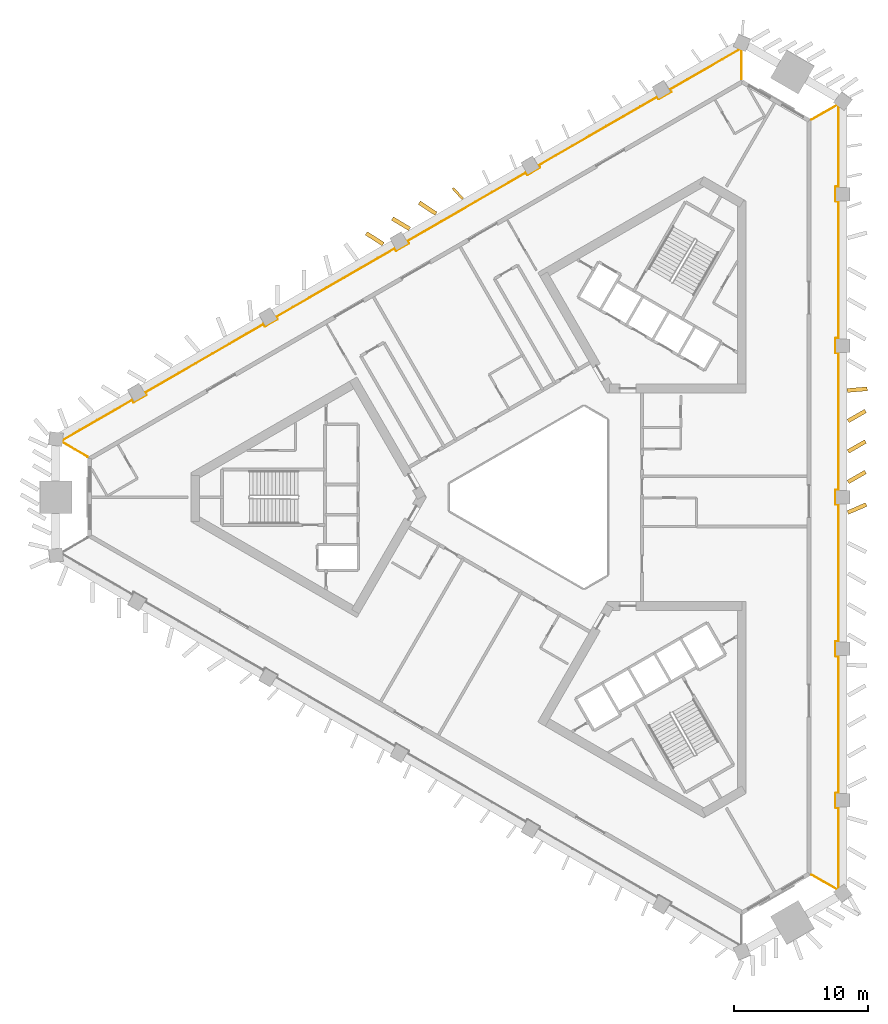
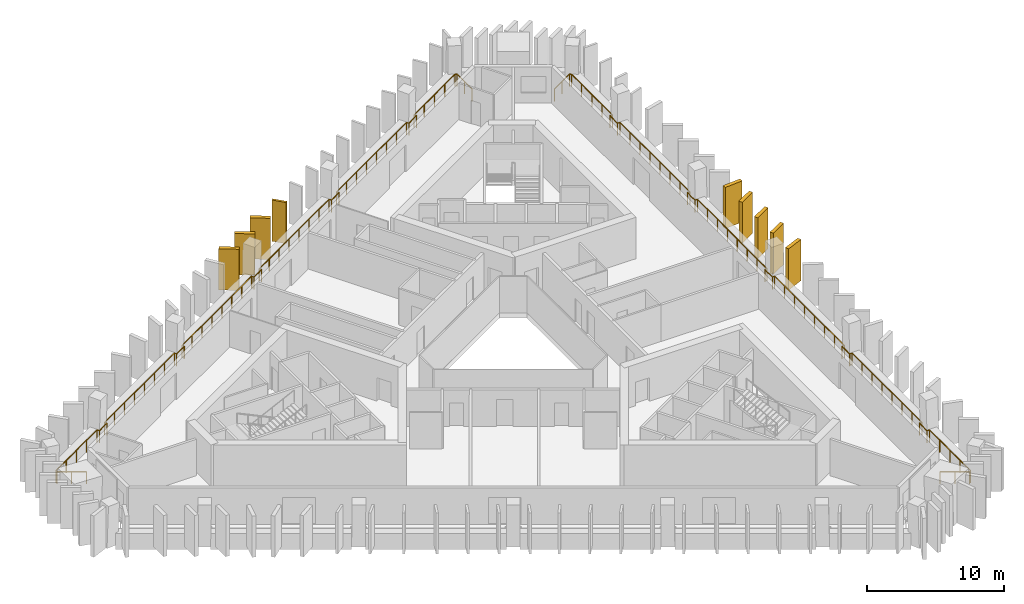
# One storey, part 9 of 10: 9 shading devices, 2 railings.
"""IFC4 building model written with IfcOpenShell, lengths in metres."""

from ifc_helpers import new_model, si_unit, direction, frame, frame_2d, origin, origin_2d, place, context, subcontext, project, spatial, rectangle, circle, extrude, material, layer, layer_set, type_object, element, save


model = new_model("IFC4")

# Units and contexts
model_context = context("Model", 3, precision=1e-05, world=origin(), true_north=direction((0.0, 1.0)))
body_context = subcontext(model_context, "Body", "Model", "MODEL_VIEW")
ifc_project = project(units=[si_unit("LENGTHUNIT", "METRE"), si_unit("AREAUNIT", "SQUARE_METRE"), si_unit("VOLUMEUNIT", "CUBIC_METRE"), si_unit("PLANEANGLEUNIT", "RADIAN"), si_unit("MASSUNIT", "GRAM", prefix="KILO")], contexts=[model_context])

# Site, building, storey
site_placement = place(None, origin())
site = spatial("IfcSite", under=ifc_project, at=site_placement, CompositionType="ELEMENT")
building_placement = place(site_placement, origin())
building = spatial("IfcBuilding", under=site, at=building_placement, Name="Jabali Bay Hotel Tower and Convention Centre", CompositionType="ELEMENT")
storey_placement = place(building_placement, frame((0.0, 0.0, 125.300048828125)))
storey = spatial("IfcBuildingStorey", under=building, at=storey_placement, Name="L30", CompositionType="ELEMENT", Elevation=125.300048828125)

# Railings
ifc_material_1 = material(Name="Glass", Category="glass")
railing_type = type_object("IfcRailingType", Name="Loggia glass guard 1100", PredefinedType="BALUSTRADE", material=ifc_material_1)
railing_1_placement = place(storey_placement, frame((94.77587890625, 108.204345703125, 0.0)))
element("IfcRailing", 1, at=railing_1_placement, inside=storey, type_object=railing_type, Name="Loggia glass guard L30", PredefinedType="BALUSTRADE", context=body_context, shape_type="SweptSolid", body=[
    extrude(circle(Radius=0.02490234375, at=origin_2d()), frame((0.0, 0.0, 1.0751953125), z_axis=(0.866007213464, 0.500031505235, 0.0), x_axis=(-0.495753666391, 0.858598401702, 0.13052619222)), (0.0, 0.0, 1.0), 2.165283203125),
    extrude(circle(Radius=0.02490234375, at=origin_2d()), frame((1.875244140625, 1.082763671875, 1.0751953125), z_axis=(0.800939455023, -0.598745346025, 0.0), x_axis=(0.593622996588, 0.794087306954, 0.13052619222)), (0.0, 0.0, 1.0), 0.15576171875),
    extrude(circle(Radius=0.02490234375, at=origin_2d()), frame((2.0, 0.989501953125, 1.0751953125), z_axis=(0.0, -1.0, 0.0), x_axis=(0.991444861374, 0.0, 0.13052619222)), (0.0, 0.0, 1.0), 5.996337890625),
    extrude(circle(Radius=0.02490234375, at=origin_2d()), frame((2.0, -5.0068359375, 1.0751953125), z_axis=(-1.0, 0.0, 0.0), x_axis=(0.0, -0.991444861374, 0.13052619222)), (0.0, 0.0, 1.0), 0.199951171875),
    extrude(circle(Radius=0.02490234375, at=origin_2d()), frame((1.800048828125, -5.0068359375, 1.0751953125), z_axis=(0.0, -1.0, 0.0), x_axis=(0.991444861374, 0.0, 0.13052619222)), (0.0, 0.0, 1.0), 1.10009765625),
    extrude(circle(Radius=0.02490234375, at=origin_2d()), frame((1.800048828125, -6.10693359375, 1.0751953125), z_axis=(1.0, 0.0, 0.0), x_axis=(0.0, 0.991444861374, 0.13052619222)), (0.0, 0.0, 1.0), 0.199951171875),
    extrude(circle(Radius=0.02490234375, at=origin_2d()), frame((2.0, -6.10693359375, 1.0751953125), z_axis=(0.0, -1.0, 0.0), x_axis=(0.991444861374, 0.0, 0.13052619222)), (0.0, 0.0, 1.0), 10.2236328125),
    extrude(circle(Radius=0.02490234375, at=origin_2d()), frame((2.0, -16.33056640625, 1.0751953125), z_axis=(-1.0, 0.0, 0.0), x_axis=(0.0, -0.991444861374, 0.13052619222)), (0.0, 0.0, 1.0), 0.199951171875),
    extrude(circle(Radius=0.02490234375, at=origin_2d()), frame((1.800048828125, -16.33056640625, 1.0751953125), z_axis=(0.0, -1.0, 0.0), x_axis=(0.991444861374, 0.0, 0.13052619222)), (0.0, 0.0, 1.0), 1.10009765625),
    extrude(circle(Radius=0.02490234375, at=origin_2d()), frame((1.800048828125, -17.4306640625, 1.0751953125), z_axis=(1.0, 0.0, 0.0), x_axis=(0.0, 0.991444861374, 0.13052619222)), (0.0, 0.0, 1.0), 0.199951171875),
    extrude(circle(Radius=0.02490234375, at=origin_2d()), frame((2.0, -17.4306640625, 1.0751953125), z_axis=(0.0, -1.0, 0.0), x_axis=(0.991444861374, 0.0, 0.13052619222)), (0.0, 0.0, 1.0), 10.2236328125),
    extrude(circle(Radius=0.02490234375, at=origin_2d()), frame((2.0, -27.654296875, 1.0751953125), z_axis=(-1.0, 0.0, 0.0), x_axis=(0.0, -0.991444861374, 0.13052619222)), (0.0, 0.0, 1.0), 0.199951171875),
    extrude(circle(Radius=0.02490234375, at=origin_2d()), frame((1.800048828125, -27.654296875, 1.0751953125), z_axis=(0.0, -1.0, 0.0), x_axis=(0.991444861374, 0.0, 0.13052619222)), (0.0, 0.0, 1.0), 1.10009765625),
    extrude(circle(Radius=0.02490234375, at=origin_2d()), frame((1.800048828125, -28.75439453125, 1.0751953125), z_axis=(1.0, 0.0, 0.0), x_axis=(0.0, 0.991444861374, 0.13052619222)), (0.0, 0.0, 1.0), 0.199951171875),
    extrude(circle(Radius=0.02490234375, at=origin_2d()), frame((2.0, -28.75439453125, 1.0751953125), z_axis=(0.0, -1.0, 0.0), x_axis=(0.991444861374, 0.0, 0.13052619222)), (0.0, 0.0, 1.0), 10.2236328125),
    extrude(circle(Radius=0.02490234375, at=origin_2d()), frame((2.0, -38.97802734375, 1.0751953125), z_axis=(-1.0, 0.0, 0.0), x_axis=(0.0, -0.991444861374, 0.13052619222)), (0.0, 0.0, 1.0), 0.199951171875),
    extrude(circle(Radius=0.02490234375, at=origin_2d()), frame((1.800048828125, -38.97802734375, 1.0751953125), z_axis=(0.0, -1.0, 0.0), x_axis=(0.991444861374, 0.0, 0.13052619222)), (0.0, 0.0, 1.0), 1.10009765625),
    extrude(circle(Radius=0.02490234375, at=origin_2d()), frame((1.800048828125, -40.078125, 1.0751953125), z_axis=(1.0, 0.0, 0.0), x_axis=(0.0, 0.991444861374, 0.13052619222)), (0.0, 0.0, 1.0), 0.199951171875),
    extrude(circle(Radius=0.02490234375, at=origin_2d()), frame((2.0, -40.078125, 1.0751953125), z_axis=(0.0, -1.0, 0.0), x_axis=(0.991444861374, 0.0, 0.13052619222)), (0.0, 0.0, 1.0), 10.2236328125),
    extrude(circle(Radius=0.02490234375, at=origin_2d()), frame((2.0, -50.3017578125, 1.0751953125), z_axis=(-1.0, 0.0, 0.0), x_axis=(0.0, -0.991444861374, 0.13052619222)), (0.0, 0.0, 1.0), 0.199951171875),
    extrude(circle(Radius=0.02490234375, at=origin_2d()), frame((1.800048828125, -50.3017578125, 1.0751953125), z_axis=(0.0, -1.0, 0.0), x_axis=(0.991444861374, 0.0, 0.13052619222)), (0.0, 0.0, 1.0), 1.10009765625),
    extrude(circle(Radius=0.02490234375, at=origin_2d()), frame((1.800048828125, -51.40185546875, 1.0751953125), z_axis=(1.0, 0.0, 0.0), x_axis=(0.0, 0.991444861374, 0.13052619222)), (0.0, 0.0, 1.0), 0.199951171875),
    extrude(circle(Radius=0.02490234375, at=origin_2d()), frame((2.0, -51.40185546875, 1.0751953125), z_axis=(0.0, -1.0, 0.0), x_axis=(0.991444861374, 0.0, 0.13052619222)), (0.0, 0.0, 1.0), 5.996337890625),
    extrude(circle(Radius=0.02490234375, at=origin_2d()), frame((2.0, -57.398193359375, 1.0751953125), z_axis=(-0.800939455023, -0.598745346025, 0.0), x_axis=(0.593622996588, -0.794087306954, 0.13052619222)), (0.0, 0.0, 1.0), 0.15576171875),
    extrude(circle(Radius=0.02490234375, at=origin_2d()), frame((1.875244140625, -57.491455078125, 1.0751953125), z_axis=(-0.866007213464, 0.500031505235, 0.0), x_axis=(-0.495753666391, -0.858598401702, 0.13052619222)), (0.0, 0.0, 1.0), 2.165283203125),
    extrude(circle(Radius=0.02001953125, at=origin_2d()), origin(), (0.0, 0.0, 1.0), 1.050048828125),
    extrude(circle(Radius=0.02001953125, at=origin_2d()), frame((0.9375, 0.54150390625, 0.0)), (0.0, 0.0, 1.0), 1.050048828125),
    extrude(circle(Radius=0.02001953125, at=origin_2d()), frame((1.875244140625, 1.082763671875, 0.0)), (0.0, 0.0, 1.0), 1.050048828125),
    extrude(circle(Radius=0.02001953125, at=origin_2d()), frame((2.0, 0.989501953125, 0.0)), (0.0, 0.0, 1.0), 1.050048828125),
    extrude(circle(Radius=0.02001953125, at=origin_2d()), frame((2.0, -0.509521484375, 0.0)), (0.0, 0.0, 1.0), 1.050048828125),
    extrude(circle(Radius=0.02001953125, at=origin_2d()), frame((2.0, -2.0087890625, 0.0)), (0.0, 0.0, 1.0), 1.050048828125),
    extrude(circle(Radius=0.02001953125, at=origin_2d()), frame((2.0, -3.5078125, 0.0)), (0.0, 0.0, 1.0), 1.050048828125),
    extrude(circle(Radius=0.02001953125, at=origin_2d()), frame((2.0, -5.0068359375, 0.0)), (0.0, 0.0, 1.0), 1.050048828125),
    extrude(circle(Radius=0.02001953125, at=origin_2d()), frame((1.800048828125, -5.0068359375, 0.0)), (0.0, 0.0, 1.0), 1.050048828125),
    extrude(circle(Radius=0.02001953125, at=origin_2d()), frame((1.800048828125, -6.10693359375, 0.0)), (0.0, 0.0, 1.0), 1.050048828125),
    extrude(circle(Radius=0.02001953125, at=origin_2d()), frame((2.0, -6.10693359375, 0.0)), (0.0, 0.0, 1.0), 1.050048828125),
    extrude(circle(Radius=0.02001953125, at=origin_2d()), frame((2.0, -7.5673828125, 0.0)), (0.0, 0.0, 1.0), 1.050048828125),
    extrude(circle(Radius=0.02001953125, at=origin_2d()), frame((2.0, -9.028076171875, 0.0)), (0.0, 0.0, 1.0), 1.050048828125),
    extrude(circle(Radius=0.02001953125, at=origin_2d()), frame((2.0, -10.488525390625, 0.0)), (0.0, 0.0, 1.0), 1.050048828125),
    extrude(circle(Radius=0.02001953125, at=origin_2d()), frame((2.0, -11.948974609375, 0.0)), (0.0, 0.0, 1.0), 1.050048828125),
    extrude(circle(Radius=0.02001953125, at=origin_2d()), frame((2.0, -13.409423828125, 0.0)), (0.0, 0.0, 1.0), 1.050048828125),
    extrude(circle(Radius=0.02001953125, at=origin_2d()), frame((2.0, -14.8701171875, 0.0)), (0.0, 0.0, 1.0), 1.050048828125),
    extrude(circle(Radius=0.02001953125, at=origin_2d()), frame((2.0, -16.33056640625, 0.0)), (0.0, 0.0, 1.0), 1.050048828125),
    extrude(circle(Radius=0.02001953125, at=origin_2d()), frame((1.800048828125, -16.33056640625, 0.0)), (0.0, 0.0, 1.0), 1.050048828125),
    extrude(circle(Radius=0.02001953125, at=origin_2d()), frame((1.800048828125, -17.4306640625, 0.0)), (0.0, 0.0, 1.0), 1.050048828125),
    extrude(circle(Radius=0.02001953125, at=origin_2d()), frame((2.0, -17.4306640625, 0.0)), (0.0, 0.0, 1.0), 1.050048828125),
    extrude(circle(Radius=0.02001953125, at=origin_2d()), frame((2.0, -18.89111328125, 0.0)), (0.0, 0.0, 1.0), 1.050048828125),
    extrude(circle(Radius=0.02001953125, at=origin_2d()), frame((2.0, -20.351806640625, 0.0)), (0.0, 0.0, 1.0), 1.050048828125),
    extrude(circle(Radius=0.02001953125, at=origin_2d()), frame((2.0, -21.812255859375, 0.0)), (0.0, 0.0, 1.0), 1.050048828125),
    extrude(circle(Radius=0.02001953125, at=origin_2d()), frame((2.0, -23.272705078125, 0.0)), (0.0, 0.0, 1.0), 1.050048828125),
    extrude(circle(Radius=0.02001953125, at=origin_2d()), frame((2.0, -24.733154296875, 0.0)), (0.0, 0.0, 1.0), 1.050048828125),
    extrude(circle(Radius=0.02001953125, at=origin_2d()), frame((2.0, -26.19384765625, 0.0)), (0.0, 0.0, 1.0), 1.050048828125),
    extrude(circle(Radius=0.02001953125, at=origin_2d()), frame((2.0, -27.654296875, 0.0)), (0.0, 0.0, 1.0), 1.050048828125),
    extrude(circle(Radius=0.02001953125, at=origin_2d()), frame((1.800048828125, -27.654296875, 0.0)), (0.0, 0.0, 1.0), 1.050048828125),
    extrude(circle(Radius=0.02001953125, at=origin_2d()), frame((1.800048828125, -28.75439453125, 0.0)), (0.0, 0.0, 1.0), 1.050048828125),
    extrude(circle(Radius=0.02001953125, at=origin_2d()), frame((2.0, -28.75439453125, 0.0)), (0.0, 0.0, 1.0), 1.050048828125),
    extrude(circle(Radius=0.02001953125, at=origin_2d()), frame((2.0, -30.21484375, 0.0)), (0.0, 0.0, 1.0), 1.050048828125),
    extrude(circle(Radius=0.02001953125, at=origin_2d()), frame((2.0, -31.675537109375, 0.0)), (0.0, 0.0, 1.0), 1.050048828125),
    extrude(circle(Radius=0.02001953125, at=origin_2d()), frame((2.0, -33.135986328125, 0.0)), (0.0, 0.0, 1.0), 1.050048828125),
    extrude(circle(Radius=0.02001953125, at=origin_2d()), frame((2.0, -34.596435546875, 0.0)), (0.0, 0.0, 1.0), 1.050048828125),
    extrude(circle(Radius=0.02001953125, at=origin_2d()), frame((2.0, -36.056884765625, 0.0)), (0.0, 0.0, 1.0), 1.050048828125),
    extrude(circle(Radius=0.02001953125, at=origin_2d()), frame((2.0, -37.517578125, 0.0)), (0.0, 0.0, 1.0), 1.050048828125),
    extrude(circle(Radius=0.02001953125, at=origin_2d()), frame((2.0, -38.97802734375, 0.0)), (0.0, 0.0, 1.0), 1.050048828125),
    extrude(circle(Radius=0.02001953125, at=origin_2d()), frame((1.800048828125, -38.97802734375, 0.0)), (0.0, 0.0, 1.0), 1.050048828125),
    extrude(circle(Radius=0.02001953125, at=origin_2d()), frame((1.800048828125, -40.078125, 0.0)), (0.0, 0.0, 1.0), 1.050048828125),
    extrude(circle(Radius=0.02001953125, at=origin_2d()), frame((2.0, -40.078125, 0.0)), (0.0, 0.0, 1.0), 1.050048828125),
    extrude(circle(Radius=0.02001953125, at=origin_2d()), frame((2.0, -41.53857421875, 0.0)), (0.0, 0.0, 1.0), 1.050048828125),
    extrude(circle(Radius=0.02001953125, at=origin_2d()), frame((2.0, -42.999267578125, 0.0)), (0.0, 0.0, 1.0), 1.050048828125),
    extrude(circle(Radius=0.02001953125, at=origin_2d()), frame((2.0, -44.459716796875, 0.0)), (0.0, 0.0, 1.0), 1.050048828125),
    extrude(circle(Radius=0.02001953125, at=origin_2d()), frame((2.0, -45.920166015625, 0.0)), (0.0, 0.0, 1.0), 1.050048828125),
    extrude(circle(Radius=0.02001953125, at=origin_2d()), frame((2.0, -47.380615234375, 0.0)), (0.0, 0.0, 1.0), 1.050048828125),
    extrude(circle(Radius=0.02001953125, at=origin_2d()), frame((2.0, -48.84130859375, 0.0)), (0.0, 0.0, 1.0), 1.050048828125),
    extrude(circle(Radius=0.02001953125, at=origin_2d()), frame((2.0, -50.3017578125, 0.0)), (0.0, 0.0, 1.0), 1.050048828125),
    extrude(circle(Radius=0.02001953125, at=origin_2d()), frame((1.800048828125, -50.3017578125, 0.0)), (0.0, 0.0, 1.0), 1.050048828125),
    extrude(circle(Radius=0.02001953125, at=origin_2d()), frame((1.800048828125, -51.40185546875, 0.0)), (0.0, 0.0, 1.0), 1.050048828125),
    extrude(circle(Radius=0.02001953125, at=origin_2d()), frame((2.0, -51.40185546875, 0.0)), (0.0, 0.0, 1.0), 1.050048828125),
    extrude(circle(Radius=0.02001953125, at=origin_2d()), frame((2.0, -52.90087890625, 0.0)), (0.0, 0.0, 1.0), 1.050048828125),
    extrude(circle(Radius=0.02001953125, at=origin_2d()), frame((2.0, -54.39990234375, 0.0)), (0.0, 0.0, 1.0), 1.050048828125),
    extrude(circle(Radius=0.02001953125, at=origin_2d()), frame((2.0, -55.899169921875, 0.0)), (0.0, 0.0, 1.0), 1.050048828125),
    extrude(circle(Radius=0.02001953125, at=origin_2d()), frame((2.0, -57.398193359375, 0.0)), (0.0, 0.0, 1.0), 1.050048828125),
    extrude(circle(Radius=0.02001953125, at=origin_2d()), frame((1.875244140625, -57.491455078125, 0.0)), (0.0, 0.0, 1.0), 1.050048828125),
    extrude(circle(Radius=0.02001953125, at=origin_2d()), frame((0.9375, -56.9501953125, 0.0)), (0.0, 0.0, 1.0), 1.050048828125),
    extrude(circle(Radius=0.02001953125, at=origin_2d()), frame((0.0, -56.40869140625, 0.0)), (0.0, 0.0, 1.0), 1.050048828125),
])
railing_2_placement = place(storey_placement, frame((40.686279296875, 83.0244140625, 0.0)))
element("IfcRailing", 2, at=railing_2_placement, inside=storey, type_object=railing_type, Name="Loggia glass guard L30", PredefinedType="BALUSTRADE", context=body_context, shape_type="SweptSolid", body=[
    extrude(circle(Radius=0.02490234375, at=origin_2d()), frame((0.0, 0.0, 1.0751953125), z_axis=(-0.866056034881, 0.49994694163, 0.0), x_axis=(-0.495669826239, -0.858646805445, 0.13052619222)), (0.0, 0.0, 1.0), 2.165283203125),
    extrude(circle(Radius=0.02490234375, at=origin_2d()), frame((-1.875244140625, 1.08251953125, 1.0751953125), z_axis=(0.117477392411, 0.993075557182, 0.0), x_axis=(-0.984579658124, 0.116472357034, 0.13052619222)), (0.0, 0.0, 1.0), 0.15576171875),
    extrude(circle(Radius=0.02490234375, at=origin_2d()), frame((-1.85693359375, 1.2373046875, 1.0751953125), z_axis=(0.866039817231, 0.499975034347, 0.0), x_axis=(-0.495697678619, 0.858630726539, 0.13052619222)), (0.0, 0.0, 1.0), 5.996337890625),
    extrude(circle(Radius=0.02490234375, at=origin_2d()), frame((3.336181640625, 4.2353515625, 1.0751953125), z_axis=(0.500603037456, -0.865676959893, 0.0), x_axis=(0.858270973496, 0.496320309074, 0.13052619222)), (0.0, 0.0, 1.0), 0.199951171875),
    extrude(circle(Radius=0.02490234375, at=origin_2d()), frame((3.436279296875, 4.062255859375, 1.0751953125), z_axis=(0.865952669392, 0.500125958508, 0.0), x_axis=(-0.495847311602, 0.858544324261, 0.13052619222)), (0.0, 0.0, 1.0), 1.099853515625),
    extrude(circle(Radius=0.02490234375, at=origin_2d()), frame((4.388671875, 4.6123046875, 1.0751953125), z_axis=(-0.499687197852, 0.866205924883, 0.0), x_axis=(-0.858795413117, -0.495412304605, 0.13052619222)), (0.0, 0.0, 1.0), 0.199951171875),
    extrude(circle(Radius=0.02490234375, at=origin_2d()), frame((4.288818359375, 4.785400390625, 1.0751953125), z_axis=(0.866027315309, 0.499996689128, 0.0), x_axis=(-0.49571914814, 0.858618331572, 0.13052619222)), (0.0, 0.0, 1.0), 10.2236328125),
    extrude(circle(Radius=0.02490234375, at=origin_2d()), frame((13.142822265625, 9.897216796875, 1.0751953125), z_axis=(0.499687197852, -0.866205924883, 0.0), x_axis=(0.858795413117, 0.495412304605, 0.13052619222)), (0.0, 0.0, 1.0), 0.199951171875),
    extrude(circle(Radius=0.02490234375, at=origin_2d()), frame((13.24267578125, 9.72412109375, 1.0751953125), z_axis=(0.866008176907, 0.50002983664, 0.0), x_axis=(-0.495752012071, 0.858599356902, 0.13052619222)), (0.0, 0.0, 1.0), 1.10009765625),
    extrude(circle(Radius=0.02490234375, at=origin_2d()), frame((14.1953125, 10.274169921875, 1.0751953125), z_axis=(-0.499687197852, 0.866205924883, 0.0), x_axis=(-0.858795413117, -0.495412304605, 0.13052619222)), (0.0, 0.0, 1.0), 0.199951171875),
    extrude(circle(Radius=0.02490234375, at=origin_2d()), frame((14.095458984375, 10.447265625, 1.0751953125), z_axis=(0.866027315309, 0.499996689128, 0.0), x_axis=(-0.49571914814, 0.858618331572, 0.13052619222)), (0.0, 0.0, 1.0), 10.2236328125),
    extrude(circle(Radius=0.02490234375, at=origin_2d()), frame((22.949462890625, 15.55908203125, 1.0751953125), z_axis=(0.499687197852, -0.866205924883, 0.0), x_axis=(0.858795413117, 0.495412304605, 0.13052619222)), (0.0, 0.0, 1.0), 0.199951171875),
    extrude(circle(Radius=0.02490234375, at=origin_2d()), frame((23.04931640625, 15.385986328125, 1.0751953125), z_axis=(0.866008176907, 0.50002983664, 0.0), x_axis=(-0.495752012071, 0.858599356902, 0.13052619222)), (0.0, 0.0, 1.0), 1.10009765625),
    extrude(circle(Radius=0.02490234375, at=origin_2d()), frame((24.001953125, 15.93603515625, 1.0751953125), z_axis=(-0.499687197852, 0.866205924883, 0.0), x_axis=(-0.858795413117, -0.495412304605, 0.13052619222)), (0.0, 0.0, 1.0), 0.199951171875),
    extrude(circle(Radius=0.02490234375, at=origin_2d()), frame((23.902099609375, 16.109130859375, 1.0751953125), z_axis=(0.866027315309, 0.499996689128, 0.0), x_axis=(-0.49571914814, 0.858618331572, 0.13052619222)), (0.0, 0.0, 1.0), 10.2236328125),
    extrude(circle(Radius=0.02490234375, at=origin_2d()), frame((32.756103515625, 21.220947265625, 1.0751953125), z_axis=(0.499687197852, -0.866205924883, 0.0), x_axis=(0.858795413117, 0.495412304605, 0.13052619222)), (0.0, 0.0, 1.0), 0.199951171875),
    extrude(circle(Radius=0.02490234375, at=origin_2d()), frame((32.85595703125, 21.0478515625, 1.0751953125), z_axis=(0.866008176907, 0.50002983664, 0.0), x_axis=(-0.495752012071, 0.858599356902, 0.13052619222)), (0.0, 0.0, 1.0), 1.10009765625),
    extrude(circle(Radius=0.02490234375, at=origin_2d()), frame((33.80859375, 21.597900390625, 1.0751953125), z_axis=(-0.499687197852, 0.866205924883, 0.0), x_axis=(-0.858795413117, -0.495412304605, 0.13052619222)), (0.0, 0.0, 1.0), 0.199951171875),
    extrude(circle(Radius=0.02490234375, at=origin_2d()), frame((33.708740234375, 21.77099609375, 1.0751953125), z_axis=(0.866027315309, 0.499996689128, 0.0), x_axis=(-0.49571914814, 0.858618331572, 0.13052619222)), (0.0, 0.0, 1.0), 10.2236328125),
    extrude(circle(Radius=0.02490234375, at=origin_2d()), frame((42.562744140625, 26.8828125, 1.0751953125), z_axis=(0.499687197852, -0.866205924883, 0.0), x_axis=(0.858795413117, 0.495412304605, 0.13052619222)), (0.0, 0.0, 1.0), 0.199951171875),
    extrude(circle(Radius=0.02490234375, at=origin_2d()), frame((42.66259765625, 26.709716796875, 1.0751953125), z_axis=(0.866008176907, 0.50002983664, 0.0), x_axis=(-0.495752012071, 0.858599356902, 0.13052619222)), (0.0, 0.0, 1.0), 1.10009765625),
    extrude(circle(Radius=0.02490234375, at=origin_2d()), frame((43.615234375, 27.259765625, 1.0751953125), z_axis=(-0.499687197852, 0.866205924883, 0.0), x_axis=(-0.858795413117, -0.495412304605, 0.13052619222)), (0.0, 0.0, 1.0), 0.199951171875),
    extrude(circle(Radius=0.02490234375, at=origin_2d()), frame((43.515380859375, 27.432861328125, 1.0751953125), z_axis=(0.866012008506, 0.500023200586, 0.0), x_axis=(-0.495745432788, 0.858603155721, 0.13052619222)), (0.0, 0.0, 1.0), 5.996337890625),
    extrude(circle(Radius=0.02490234375, at=origin_2d()), frame((48.708251953125, 30.43115234375, 1.0751953125), z_axis=(0.918901945155, -0.394486013934, 0.0), x_axis=(0.391111131399, 0.911040611631, 0.13052619222)), (0.0, 0.0, 1.0), 0.156005859375),
    extrude(circle(Radius=0.02490234375, at=origin_2d()), frame((48.8515625, 30.36962890625, 1.0751953125), z_axis=(0.0, -1.0, 0.0), x_axis=(0.991444861374, 0.0, 0.13052619222)), (0.0, 0.0, 1.0), 2.165283203125),
    extrude(circle(Radius=0.02001953125, at=origin_2d()), origin(), (0.0, 0.0, 1.0), 1.050048828125),
    extrude(circle(Radius=0.02001953125, at=origin_2d()), frame((-0.9375, 0.541259765625, 0.0)), (0.0, 0.0, 1.0), 1.050048828125),
    extrude(circle(Radius=0.02001953125, at=origin_2d()), frame((-1.875244140625, 1.08251953125, 0.0)), (0.0, 0.0, 1.0), 1.050048828125),
    extrude(circle(Radius=0.02001953125, at=origin_2d()), frame((-1.85693359375, 1.2373046875, 0.0)), (0.0, 0.0, 1.0), 1.050048828125),
    extrude(circle(Radius=0.02001953125, at=origin_2d()), frame((-0.55859375, 1.98681640625, 0.0)), (0.0, 0.0, 1.0), 1.050048828125),
    extrude(circle(Radius=0.02001953125, at=origin_2d()), frame((0.73974609375, 2.736328125, 0.0)), (0.0, 0.0, 1.0), 1.050048828125),
    extrude(circle(Radius=0.02001953125, at=origin_2d()), frame((2.037841796875, 3.48583984375, 0.0)), (0.0, 0.0, 1.0), 1.050048828125),
    extrude(circle(Radius=0.02001953125, at=origin_2d()), frame((3.336181640625, 4.2353515625, 0.0)), (0.0, 0.0, 1.0), 1.050048828125),
    extrude(circle(Radius=0.02001953125, at=origin_2d()), frame((3.436279296875, 4.062255859375, 0.0)), (0.0, 0.0, 1.0), 1.050048828125),
    extrude(circle(Radius=0.02001953125, at=origin_2d()), frame((4.388671875, 4.6123046875, 0.0)), (0.0, 0.0, 1.0), 1.050048828125),
    extrude(circle(Radius=0.02001953125, at=origin_2d()), frame((4.288818359375, 4.785400390625, 0.0)), (0.0, 0.0, 1.0), 1.050048828125),
    extrude(circle(Radius=0.02001953125, at=origin_2d()), frame((5.5537109375, 5.515625, 0.0)), (0.0, 0.0, 1.0), 1.050048828125),
    extrude(circle(Radius=0.02001953125, at=origin_2d()), frame((6.818603515625, 6.245849609375, 0.0)), (0.0, 0.0, 1.0), 1.050048828125),
    extrude(circle(Radius=0.02001953125, at=origin_2d()), frame((8.08349609375, 6.97607421875, 0.0)), (0.0, 0.0, 1.0), 1.050048828125),
    extrude(circle(Radius=0.02001953125, at=origin_2d()), frame((9.34814453125, 7.70654296875, 0.0)), (0.0, 0.0, 1.0), 1.050048828125),
    extrude(circle(Radius=0.02001953125, at=origin_2d()), frame((10.613037109375, 8.436767578125, 0.0)), (0.0, 0.0, 1.0), 1.050048828125),
    extrude(circle(Radius=0.02001953125, at=origin_2d()), frame((11.8779296875, 9.1669921875, 0.0)), (0.0, 0.0, 1.0), 1.050048828125),
    extrude(circle(Radius=0.02001953125, at=origin_2d()), frame((13.142822265625, 9.897216796875, 0.0)), (0.0, 0.0, 1.0), 1.050048828125),
    extrude(circle(Radius=0.02001953125, at=origin_2d()), frame((13.24267578125, 9.72412109375, 0.0)), (0.0, 0.0, 1.0), 1.050048828125),
    extrude(circle(Radius=0.02001953125, at=origin_2d()), frame((14.1953125, 10.274169921875, 0.0)), (0.0, 0.0, 1.0), 1.050048828125),
    extrude(circle(Radius=0.02001953125, at=origin_2d()), frame((14.095458984375, 10.447265625, 0.0)), (0.0, 0.0, 1.0), 1.050048828125),
    extrude(circle(Radius=0.02001953125, at=origin_2d()), frame((15.3603515625, 11.177490234375, 0.0)), (0.0, 0.0, 1.0), 1.050048828125),
    extrude(circle(Radius=0.02001953125, at=origin_2d()), frame((16.625244140625, 11.90771484375, 0.0)), (0.0, 0.0, 1.0), 1.050048828125),
    extrude(circle(Radius=0.02001953125, at=origin_2d()), frame((17.89013671875, 12.637939453125, 0.0)), (0.0, 0.0, 1.0), 1.050048828125),
    extrude(circle(Radius=0.02001953125, at=origin_2d()), frame((19.15478515625, 13.368408203125, 0.0)), (0.0, 0.0, 1.0), 1.050048828125),
    extrude(circle(Radius=0.02001953125, at=origin_2d()), frame((20.419677734375, 14.0986328125, 0.0)), (0.0, 0.0, 1.0), 1.050048828125),
    extrude(circle(Radius=0.02001953125, at=origin_2d()), frame((21.6845703125, 14.828857421875, 0.0)), (0.0, 0.0, 1.0), 1.050048828125),
    extrude(circle(Radius=0.02001953125, at=origin_2d()), frame((22.949462890625, 15.55908203125, 0.0)), (0.0, 0.0, 1.0), 1.050048828125),
    extrude(circle(Radius=0.02001953125, at=origin_2d()), frame((23.04931640625, 15.385986328125, 0.0)), (0.0, 0.0, 1.0), 1.050048828125),
    extrude(circle(Radius=0.02001953125, at=origin_2d()), frame((24.001953125, 15.93603515625, 0.0)), (0.0, 0.0, 1.0), 1.050048828125),
    extrude(circle(Radius=0.02001953125, at=origin_2d()), frame((23.902099609375, 16.109130859375, 0.0)), (0.0, 0.0, 1.0), 1.050048828125),
    extrude(circle(Radius=0.02001953125, at=origin_2d()), frame((25.1669921875, 16.83935546875, 0.0)), (0.0, 0.0, 1.0), 1.050048828125),
    extrude(circle(Radius=0.02001953125, at=origin_2d()), frame((26.431884765625, 17.569580078125, 0.0)), (0.0, 0.0, 1.0), 1.050048828125),
    extrude(circle(Radius=0.02001953125, at=origin_2d()), frame((27.69677734375, 18.2998046875, 0.0)), (0.0, 0.0, 1.0), 1.050048828125),
    extrude(circle(Radius=0.02001953125, at=origin_2d()), frame((28.96142578125, 19.0302734375, 0.0)), (0.0, 0.0, 1.0), 1.050048828125),
    extrude(circle(Radius=0.02001953125, at=origin_2d()), frame((30.226318359375, 19.760498046875, 0.0)), (0.0, 0.0, 1.0), 1.050048828125),
    extrude(circle(Radius=0.02001953125, at=origin_2d()), frame((31.4912109375, 20.49072265625, 0.0)), (0.0, 0.0, 1.0), 1.050048828125),
    extrude(circle(Radius=0.02001953125, at=origin_2d()), frame((32.756103515625, 21.220947265625, 0.0)), (0.0, 0.0, 1.0), 1.050048828125),
    extrude(circle(Radius=0.02001953125, at=origin_2d()), frame((32.85595703125, 21.0478515625, 0.0)), (0.0, 0.0, 1.0), 1.050048828125),
    extrude(circle(Radius=0.02001953125, at=origin_2d()), frame((33.80859375, 21.597900390625, 0.0)), (0.0, 0.0, 1.0), 1.050048828125),
    extrude(circle(Radius=0.02001953125, at=origin_2d()), frame((33.708740234375, 21.77099609375, 0.0)), (0.0, 0.0, 1.0), 1.050048828125),
    extrude(circle(Radius=0.02001953125, at=origin_2d()), frame((34.9736328125, 22.501220703125, 0.0)), (0.0, 0.0, 1.0), 1.050048828125),
    extrude(circle(Radius=0.02001953125, at=origin_2d()), frame((36.238525390625, 23.2314453125, 0.0)), (0.0, 0.0, 1.0), 1.050048828125),
    extrude(circle(Radius=0.02001953125, at=origin_2d()), frame((37.50341796875, 23.961669921875, 0.0)), (0.0, 0.0, 1.0), 1.050048828125),
    extrude(circle(Radius=0.02001953125, at=origin_2d()), frame((38.76806640625, 24.692138671875, 0.0)), (0.0, 0.0, 1.0), 1.050048828125),
    extrude(circle(Radius=0.02001953125, at=origin_2d()), frame((40.032958984375, 25.42236328125, 0.0)), (0.0, 0.0, 1.0), 1.050048828125),
    extrude(circle(Radius=0.02001953125, at=origin_2d()), frame((41.2978515625, 26.152587890625, 0.0)), (0.0, 0.0, 1.0), 1.050048828125),
    extrude(circle(Radius=0.02001953125, at=origin_2d()), frame((42.562744140625, 26.8828125, 0.0)), (0.0, 0.0, 1.0), 1.050048828125),
    extrude(circle(Radius=0.02001953125, at=origin_2d()), frame((42.66259765625, 26.709716796875, 0.0)), (0.0, 0.0, 1.0), 1.050048828125),
    extrude(circle(Radius=0.02001953125, at=origin_2d()), frame((43.615234375, 27.259765625, 0.0)), (0.0, 0.0, 1.0), 1.050048828125),
    extrude(circle(Radius=0.02001953125, at=origin_2d()), frame((43.515380859375, 27.432861328125, 0.0)), (0.0, 0.0, 1.0), 1.050048828125),
    extrude(circle(Radius=0.02001953125, at=origin_2d()), frame((44.8134765625, 28.182373046875, 0.0)), (0.0, 0.0, 1.0), 1.050048828125),
    extrude(circle(Radius=0.02001953125, at=origin_2d()), frame((46.11181640625, 28.93212890625, 0.0)), (0.0, 0.0, 1.0), 1.050048828125),
    extrude(circle(Radius=0.02001953125, at=origin_2d()), frame((47.41015625, 29.681640625, 0.0)), (0.0, 0.0, 1.0), 1.050048828125),
    extrude(circle(Radius=0.02001953125, at=origin_2d()), frame((48.708251953125, 30.43115234375, 0.0)), (0.0, 0.0, 1.0), 1.050048828125),
    extrude(circle(Radius=0.02001953125, at=origin_2d()), frame((48.8515625, 30.36962890625, 0.0)), (0.0, 0.0, 1.0), 1.050048828125),
    extrude(circle(Radius=0.02001953125, at=origin_2d()), frame((48.8515625, 29.287109375, 0.0)), (0.0, 0.0, 1.0), 1.050048828125),
    extrude(circle(Radius=0.02001953125, at=origin_2d()), frame((48.8515625, 28.204345703125, 0.0)), (0.0, 0.0, 1.0), 1.050048828125),
])

# Shading devices
ifc_material_2 = material(Name="Precast concrete C60", Category="concrete")
ifc_layer_1 = layer(ifc_material_2, 0.179931640625)
ifc_layer_set_1 = layer_set([ifc_layer_1], Name="Precast concrete C60")
shading_device_type_1 = type_object("IfcShadingDeviceType", Name="Precast fin 3680 x 1100", PredefinedType="USERDEFINED", material=ifc_layer_set_1)
shading_device_1_placement = place(storey_placement, frame((68.714111328125, 102.279296875, 0.010009765625), z_axis=(0.0, 0.0, 1.0), x_axis=(-0.671987652621, 0.740562350329, 0.0)))
element("IfcShadingDevice", 3, at=shading_device_1_placement, inside=storey, type_object=shading_device_type_1, Name="Fin L30 044", ObjectType="FIN", PredefinedType="USERDEFINED", context=body_context, shape_type="SweptSolid", body=[
    extrude(rectangle(XDim=1.10009765625, YDim=0.179931640625, at=frame_2d((0.550048828125, 0.0))), origin(), (0.0, 0.0, 1.0), 3.679931640625),
])
ifc_layer_2 = layer(ifc_material_2, 0.300048828125)
ifc_layer_set_2 = layer_set([ifc_layer_2], Name="Precast concrete C60")
shading_device_type_2 = type_object("IfcShadingDeviceType", Name="Precast fin 3680 x 1500", PredefinedType="USERDEFINED", material=ifc_layer_set_2)
shading_device_2_placement = place(storey_placement, frame((97.477783203125, 78.86083984375, 0.010009765625), z_axis=(0.0, 0.0, 1.0), x_axis=(0.918055622467, 0.396451603675, 0.0)))
element("IfcShadingDevice", 4, at=shading_device_2_placement, inside=storey, type_object=shading_device_type_2, Name="Fin L30 012", ObjectType="FIN", PredefinedType="USERDEFINED", context=body_context, shape_type="SweptSolid", body=[
    extrude(rectangle(XDim=1.500244140625, YDim=0.300048828125, at=frame_2d((0.75, 0.0))), origin(), (0.0, 0.0, 1.0), 3.679931640625),
])
shading_device_3_placement = place(storey_placement, frame((97.4931640625, 81.13916015625, 0.010009765625), z_axis=(0.0, 0.0, 1.0), x_axis=(0.867119005422, 0.498101024327, 0.0)))
element("IfcShadingDevice", 5, at=shading_device_3_placement, inside=storey, type_object=shading_device_type_2, Name="Fin L30 013", ObjectType="FIN", PredefinedType="USERDEFINED", context=body_context, shape_type="SweptSolid", body=[
    extrude(rectangle(XDim=1.499755859375, YDim=0.300048828125, at=frame_2d((0.75, 0.0))), origin(), (0.0, 0.0, 1.0), 3.679931640625),
])
for number, where, z_axis, x_axis, name in (
    (6, (97.4931640625, 83.41748046875, 0.010009765625), (0.0, 0.0, 1.0), (0.867159382876, 0.498030726652, 0.0), "Fin L30 014"),
    (7, (97.4931640625, 85.696044921875, 0.010009765625), (0.0, 0.0, 1.0), (0.867229669326, 0.497908325538, 0.0), "Fin L30 015"),
):
    element("IfcShadingDevice", number, at=place(storey_placement, frame(where, z_axis=z_axis, x_axis=x_axis)), inside=storey, type_object=shading_device_type_2, Name=name, ObjectType="FIN", PredefinedType="USERDEFINED", context=body_context, shape_type="SweptSolid", body=[
        extrude(rectangle(XDim=1.5, YDim=0.300048828125, at=frame_2d((0.75, 0.0))), origin(), (0.0, 0.0, 1.0), 3.679931640625),
    ])
shading_device_4_placement = place(storey_placement, frame((97.4306640625, 87.974365234375, 0.010009765625), z_axis=(0.0, 0.0, 1.0), x_axis=(0.99663053169, 0.082021846501, 0.0)))
element("IfcShadingDevice", 8, at=shading_device_4_placement, inside=storey, type_object=shading_device_type_2, Name="Fin L30 016", ObjectType="FIN", PredefinedType="USERDEFINED", context=body_context, shape_type="SweptSolid", body=[
    extrude(rectangle(XDim=1.500244140625, YDim=0.300048828125, at=frame_2d((0.75, 0.0))), origin(), (0.0, 0.0, 1.0), 3.679931640625),
])
for number, where, z_axis, x_axis, name in (
    (9, (66.716796875, 101.181884765625, 0.010009765625), (0.0, 0.0, 1.0), (-0.835291193666, 0.549807804404, 0.0), "Fin L30 045"),
    (10, (64.740966796875, 100.04736328125, 0.010009765625), (0.0, 0.0, 1.0), (-0.856989840985, 0.51533330229, 0.0), "Fin L30 046"),
):
    element("IfcShadingDevice", number, at=place(storey_placement, frame(where, z_axis=z_axis, x_axis=x_axis)), inside=storey, type_object=shading_device_type_2, Name=name, ObjectType="FIN", PredefinedType="USERDEFINED", context=body_context, shape_type="SweptSolid", body=[
        extrude(rectangle(XDim=1.5, YDim=0.300048828125, at=frame_2d((0.75, 0.0))), origin(), (0.0, 0.0, 1.0), 3.679931640625),
    ])
shading_device_5_placement = place(storey_placement, frame((62.769775390625, 98.905029296875, 0.010009765625), z_axis=(0.0, 0.0, 1.0), x_axis=(-0.841907582894, 0.539621739616, 0.0)))
element("IfcShadingDevice", 11, at=shading_device_5_placement, inside=storey, type_object=shading_device_type_2, Name="Fin L30 047", ObjectType="FIN", PredefinedType="USERDEFINED", context=body_context, shape_type="SweptSolid", body=[
    extrude(rectangle(XDim=1.499755859375, YDim=0.300048828125, at=frame_2d((0.75, 0.0))), origin(), (0.0, 0.0, 1.0), 3.679931640625),
])

save(model, "model.ifc")
